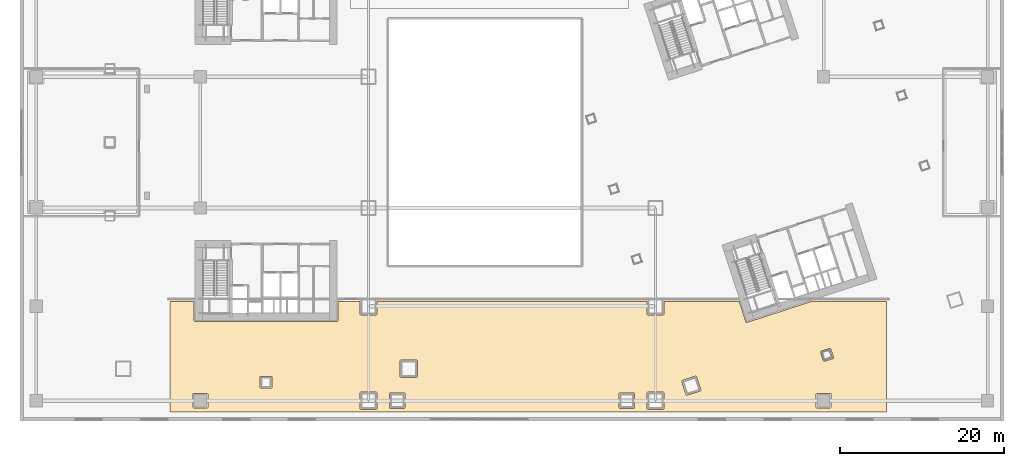
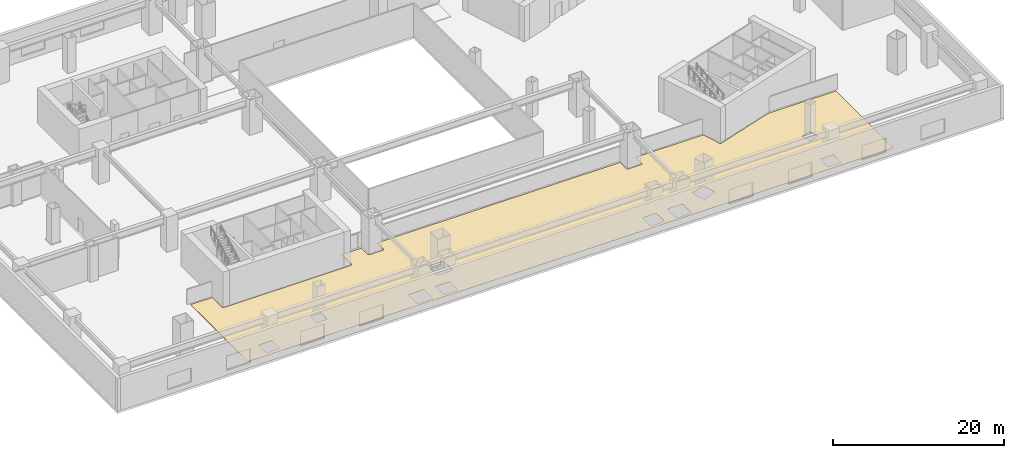
# One storey, part 31 of 35: 1 covering.
"""IFC4 building model written with IfcOpenShell, lengths in metres."""

from ifc_helpers import new_model, si_unit, direction, frame, origin, place, context, subcontext, project, spatial, polyline, outline, extrude, material, layer, layer_set, type_object, element, save


model = new_model("IFC4")

# Units and contexts
model_context = context("Model", 3, precision=1e-05, world=origin(), true_north=direction((0.0, 1.0)))
body_context = subcontext(model_context, "Body", "Model", "MODEL_VIEW")
ifc_project = project(units=[si_unit("LENGTHUNIT", "METRE"), si_unit("AREAUNIT", "SQUARE_METRE"), si_unit("VOLUMEUNIT", "CUBIC_METRE"), si_unit("PLANEANGLEUNIT", "RADIAN"), si_unit("MASSUNIT", "GRAM", prefix="KILO")], contexts=[model_context])

# Site, building, storey
site_placement = place(None, origin())
site = spatial("IfcSite", under=ifc_project, at=site_placement, CompositionType="ELEMENT")
building_placement = place(site_placement, origin())
building = spatial("IfcBuilding", under=site, at=building_placement, Name="Qiaolan Cultural Towers", CompositionType="ELEMENT")
storey_placement = place(building_placement, frame((0.0, 0.0, 11.5)))
storey = spatial("IfcBuildingStorey", under=building, at=storey_placement, Name="L02", CompositionType="ELEMENT", Elevation=11.5)

# Covering
ifc_material = material(Name="Honed Terrazzo & Raised Access Flooring", Category="concrete")
ifc_layer = layer(ifc_material, 0.0400390625)
ifc_layer_set = layer_set([ifc_layer], Name="Honed Terrazzo & Raised Access Flooring")
covering_type = type_object("IfcCoveringType", Name="COV-FLR-STONE", PredefinedType="FLOORING", material=ifc_layer_set)
covering_placement = place(storey_placement, origin())
element("IfcCovering", 1, at=covering_placement, inside=storey, type_object=covering_type, Name="L02 L02 South Civic Exhibition Gallery Finish Flooring", PredefinedType="FLOORING", context=body_context, shape_type="SweptSolid", body=[
    extrude(outline(polyline([(78.550048828125, 13.070068359375), (78.54931640625, 13.058349609375), (78.547607421875, 13.046630859375), (78.544921875, 13.03515625), (78.540771484375, 13.024169921875), (78.535888671875, 13.013427734375), (78.52978515625, 13.00341796875), (78.522705078125, 12.993896484375), (78.514892578125, 12.985107421875), (78.506103515625, 12.977294921875), (78.49658203125, 12.97021484375), (78.486572265625, 12.964111328125), (78.475830078125, 12.959228515625), (78.46484375, 12.955078125), (78.453369140625, 12.952392578125), (78.441650390625, 12.95068359375), (78.429931640625, 12.949951171875), (76.570068359375, 12.949951171875), (76.558349609375, 12.95068359375), (76.546630859375, 12.952392578125), (76.53515625, 12.955078125), (76.524169921875, 12.959228515625), (76.513427734375, 12.964111328125), (76.50341796875, 12.97021484375), (76.493896484375, 12.977294921875), (76.485107421875, 12.985107421875), (76.477294921875, 12.993896484375), (76.47021484375, 13.00341796875), (76.464111328125, 13.013427734375), (76.459228515625, 13.024169921875), (76.455078125, 13.03515625), (76.452392578125, 13.046630859375), (76.45068359375, 13.058349609375), (76.449951171875, 13.070068359375), (76.449951171875, 14.580078125), (43.550048828125, 14.580078125), (43.550048828125, 13.070068359375), (43.54931640625, 13.058349609375), (43.547607421875, 13.046630859375), (43.544921875, 13.03515625), (43.540771484375, 13.024169921875), (43.535888671875, 13.013427734375), (43.52978515625, 13.00341796875), (43.522705078125, 12.993896484375), (43.514892578125, 12.985107421875), (43.506103515625, 12.977294921875), (43.49658203125, 12.97021484375), (43.486572265625, 12.964111328125), (43.475830078125, 12.959228515625), (43.46484375, 12.955078125), (43.453369140625, 12.952392578125), (43.441650390625, 12.95068359375), (43.429931640625, 12.949951171875), (41.570068359375, 12.949951171875), (41.558349609375, 12.95068359375), (41.546630859375, 12.952392578125), (41.53515625, 12.955078125), (41.524169921875, 12.959228515625), (41.513427734375, 12.964111328125), (41.50341796875, 12.97021484375), (41.493896484375, 12.977294921875), (41.485107421875, 12.985107421875), (41.477294921875, 12.993896484375), (41.47021484375, 13.00341796875), (41.464111328125, 13.013427734375), (41.459228515625, 13.024169921875), (41.455078125, 13.03515625), (41.452392578125, 13.046630859375), (41.45068359375, 13.058349609375), (41.449951171875, 13.070068359375), (41.449951171875, 14.580078125), (38.77001953125, 14.580078125), (38.77001953125, 12.25), (38.76953125, 12.23828125), (38.767578125, 12.2265625), (38.764892578125, 12.215087890625), (38.760986328125, 12.2041015625), (38.755859375, 12.193359375), (38.749755859375, 12.183349609375), (38.74267578125, 12.173828125), (38.73486328125, 12.1650390625), (38.72607421875, 12.1572265625), (38.716552734375, 12.150146484375), (38.70654296875, 12.144287109375), (38.69580078125, 12.13916015625), (38.684814453125, 12.13525390625), (38.67333984375, 12.13232421875), (38.661865234375, 12.130615234375), (38.64990234375, 12.1298828125), (21.35009765625, 12.1298828125), (21.338134765625, 12.130615234375), (21.32666015625, 12.13232421875), (21.315185546875, 12.13525390625), (21.30419921875, 12.13916015625), (21.29345703125, 12.144287109375), (21.283447265625, 12.150146484375), (21.27392578125, 12.1572265625), (21.26513671875, 12.1650390625), (21.25732421875, 12.173828125), (21.250244140625, 12.183349609375), (21.244140625, 12.193359375), (21.239013671875, 12.2041015625), (21.235107421875, 12.215087890625), (21.232421875, 12.2265625), (21.23046875, 12.23828125), (21.22998046875, 12.25), (21.22998046875, 14.580078125), (18.320068359375, 14.580078125), (18.320068359375, 1.1201171875), (105.679931640625, 1.1201171875), (105.679931640625, 14.580078125), (96.4736328125, 14.580078125), (88.669677734375, 12.044189453125), (88.658203125, 12.041259765625), (88.646484375, 12.039306640625), (88.634765625, 12.038330078125), (88.623046875, 12.038818359375), (88.611328125, 12.040283203125), (88.599853515625, 12.04296875), (88.5888671875, 12.046630859375), (88.578125, 12.051513671875), (88.56787109375, 12.057373046875), (88.55810546875, 12.064208984375), (88.54931640625, 12.072021484375), (88.541259765625, 12.08056640625), (88.533935546875, 12.08984375), (88.52783203125, 12.099853515625), (88.5224609375, 12.1103515625), (88.518310546875, 12.121337890625), (87.719482421875, 14.580078125), (78.550048828125, 14.580078125), (78.550048828125, 13.070068359375)]), holes=[polyline([(99.205810546875, 7.76904296875), (99.207763671875, 7.757568359375), (99.20849609375, 7.745849609375), (99.208251953125, 7.734130859375), (99.206787109375, 7.722412109375), (99.2041015625, 7.7109375), (99.2001953125, 7.69970703125), (99.195556640625, 7.68896484375), (99.189697265625, 7.6787109375), (99.182861328125, 7.669189453125), (99.175048828125, 7.66015625), (99.16650390625, 7.652099609375), (99.1572265625, 7.64501953125), (99.147216796875, 7.638671875), (99.13671875, 7.633544921875), (99.125732421875, 7.62939453125), (98.117431640625, 7.3017578125), (98.106201171875, 7.298583984375), (98.094482421875, 7.296630859375), (98.082763671875, 7.2958984375), (98.071044921875, 7.296142578125), (98.059326171875, 7.2978515625), (98.0478515625, 7.30029296875), (98.03662109375, 7.30419921875), (98.02587890625, 7.308837890625), (98.015625, 7.314697265625), (98.006103515625, 7.321533203125), (97.997314453125, 7.329345703125), (97.9892578125, 7.337890625), (97.98193359375, 7.34716796875), (97.975830078125, 7.357177734375), (97.970458984375, 7.36767578125), (97.96630859375, 7.37890625), (97.638671875, 8.386962890625), (97.6357421875, 8.398193359375), (97.6337890625, 8.409912109375), (97.6328125, 8.421630859375), (97.63330078125, 8.433349609375), (97.634765625, 8.445068359375), (97.637451171875, 8.45654296875), (97.64111328125, 8.4677734375), (97.64599609375, 8.478515625), (97.65185546875, 8.48876953125), (97.65869140625, 8.498291015625), (97.666259765625, 8.507080078125), (97.675048828125, 8.51513671875), (97.684326171875, 8.5224609375), (97.6943359375, 8.52880859375), (97.704833984375, 8.533935546875), (97.7158203125, 8.5380859375), (98.723876953125, 8.86572265625), (98.7353515625, 8.86865234375), (98.746826171875, 8.87060546875), (98.758544921875, 8.87158203125), (98.7705078125, 8.87109375), (98.781982421875, 8.86962890625), (98.79345703125, 8.866943359375), (98.8046875, 8.86328125), (98.8154296875, 8.8583984375), (98.82568359375, 8.8525390625), (98.835205078125, 8.845703125), (98.84423828125, 8.838134765625), (98.852294921875, 8.82958984375), (98.859375, 8.820068359375), (98.86572265625, 8.810302734375), (98.870849609375, 8.799560546875), (98.875, 8.78857421875), (99.20263671875, 7.780517578125), (99.205810546875, 7.76904296875)]), polyline([(97.1005859375, 3.291748046875), (97.102294921875, 3.303466796875), (97.105224609375, 3.31494140625), (97.109130859375, 3.325927734375), (97.1142578125, 3.336669921875), (97.1201171875, 3.3466796875), (97.127197265625, 3.356201171875), (97.13525390625, 3.36474609375), (97.143798828125, 3.372802734375), (97.1533203125, 3.3798828125), (97.163330078125, 3.3857421875), (97.174072265625, 3.390869140625), (97.18505859375, 3.394775390625), (97.196533203125, 3.397705078125), (97.208251953125, 3.3994140625), (97.219970703125, 3.39990234375), (98.780029296875, 3.39990234375), (98.791748046875, 3.3994140625), (98.803466796875, 3.397705078125), (98.81494140625, 3.394775390625), (98.825927734375, 3.390869140625), (98.836669921875, 3.3857421875), (98.8466796875, 3.3798828125), (98.856201171875, 3.372802734375), (98.86474609375, 3.36474609375), (98.872802734375, 3.356201171875), (98.8798828125, 3.3466796875), (98.8857421875, 3.336669921875), (98.890869140625, 3.325927734375), (98.894775390625, 3.31494140625), (98.897705078125, 3.303466796875), (98.8994140625, 3.291748046875), (98.89990234375, 3.280029296875), (98.89990234375, 1.719970703125), (98.8994140625, 1.708251953125), (98.897705078125, 1.696533203125), (98.894775390625, 1.68505859375), (98.890869140625, 1.674072265625), (98.8857421875, 1.663330078125), (98.8798828125, 1.6533203125), (98.872802734375, 1.643798828125), (98.86474609375, 1.63525390625), (98.856201171875, 1.627197265625), (98.8466796875, 1.6201171875), (98.836669921875, 1.6142578125), (98.825927734375, 1.609130859375), (98.81494140625, 1.605224609375), (98.803466796875, 1.602294921875), (98.791748046875, 1.6005859375), (98.780029296875, 1.60009765625), (97.219970703125, 1.60009765625), (97.208251953125, 1.6005859375), (97.196533203125, 1.602294921875), (97.18505859375, 1.605224609375), (97.174072265625, 1.609130859375), (97.163330078125, 1.6142578125), (97.1533203125, 1.6201171875), (97.143798828125, 1.627197265625), (97.13525390625, 1.63525390625), (97.127197265625, 1.643798828125), (97.1201171875, 1.6533203125), (97.1142578125, 1.663330078125), (97.109130859375, 1.674072265625), (97.105224609375, 1.68505859375), (97.102294921875, 1.696533203125), (97.1005859375, 1.708251953125), (97.10009765625, 1.719970703125), (97.10009765625, 3.280029296875), (97.1005859375, 3.291748046875)]), polyline([(82.36962890625, 5.48583984375), (82.38134765625, 5.48779296875), (82.39306640625, 5.48876953125), (82.40478515625, 5.48828125), (82.41650390625, 5.48681640625), (82.427978515625, 5.484130859375), (82.439208984375, 5.48046875), (82.449951171875, 5.4755859375), (82.4599609375, 5.4697265625), (82.4697265625, 5.462890625), (82.478515625, 5.455322265625), (82.486572265625, 5.446533203125), (82.493896484375, 5.437255859375), (82.5, 5.42724609375), (82.50537109375, 5.416748046875), (82.509521484375, 5.40576171875), (83.0224609375, 3.8271484375), (83.025634765625, 3.815673828125), (83.027587890625, 3.803955078125), (83.0283203125, 3.792236328125), (83.02783203125, 3.780517578125), (83.0263671875, 3.768798828125), (83.02392578125, 3.75732421875), (83.02001953125, 3.746337890625), (83.01513671875, 3.735595703125), (83.00927734375, 3.725341796875), (83.00244140625, 3.715576171875), (82.994873046875, 3.706787109375), (82.986328125, 3.69873046875), (82.97705078125, 3.69140625), (82.967041015625, 3.685302734375), (82.956298828125, 3.679931640625), (82.9453125, 3.67578125), (81.36669921875, 3.162841796875), (81.355224609375, 3.15966796875), (81.34375, 3.15771484375), (81.33203125, 3.156982421875), (81.320068359375, 3.157470703125), (81.30859375, 3.158935546875), (81.296875, 3.16162109375), (81.285888671875, 3.165283203125), (81.275146484375, 3.170166015625), (81.264892578125, 3.176025390625), (81.25537109375, 3.182861328125), (81.246337890625, 3.1904296875), (81.23828125, 3.198974609375), (81.231201171875, 3.20849609375), (81.224853515625, 3.21826171875), (81.2197265625, 3.22900390625), (81.21533203125, 3.239990234375), (80.702392578125, 4.818603515625), (80.699462890625, 4.830078125), (80.697509765625, 4.841552734375), (80.696533203125, 4.853515625), (80.697021484375, 4.865234375), (80.698486328125, 4.876953125), (80.701171875, 4.888427734375), (80.704833984375, 4.8994140625), (80.709716796875, 4.91015625), (80.715576171875, 4.92041015625), (80.722412109375, 4.929931640625), (80.72998046875, 4.93896484375), (80.73876953125, 4.947021484375), (80.748046875, 4.9541015625), (80.758056640625, 4.96044921875), (80.7685546875, 4.965576171875), (80.779541015625, 4.969970703125), (82.358154296875, 5.48291015625), (82.36962890625, 5.48583984375)]), polyline([(78.54931640625, 1.558349609375), (78.547607421875, 1.546630859375), (78.544921875, 1.53515625), (78.540771484375, 1.524169921875), (78.535888671875, 1.513427734375), (78.52978515625, 1.50341796875), (78.522705078125, 1.493896484375), (78.514892578125, 1.485107421875), (78.506103515625, 1.477294921875), (78.49658203125, 1.47021484375), (78.486572265625, 1.464111328125), (78.475830078125, 1.459228515625), (78.46484375, 1.455078125), (78.453369140625, 1.452392578125), (78.441650390625, 1.45068359375), (78.429931640625, 1.449951171875), (76.570068359375, 1.449951171875), (76.558349609375, 1.45068359375), (76.546630859375, 1.452392578125), (76.53515625, 1.455078125), (76.524169921875, 1.459228515625), (76.513427734375, 1.464111328125), (76.50341796875, 1.47021484375), (76.493896484375, 1.477294921875), (76.485107421875, 1.485107421875), (76.477294921875, 1.493896484375), (76.47021484375, 1.50341796875), (76.464111328125, 1.513427734375), (76.459228515625, 1.524169921875), (76.455078125, 1.53515625), (76.452392578125, 1.546630859375), (76.45068359375, 1.558349609375), (76.449951171875, 1.570068359375), (76.449951171875, 3.429931640625), (76.45068359375, 3.441650390625), (76.452392578125, 3.453369140625), (76.455078125, 3.46484375), (76.459228515625, 3.475830078125), (76.464111328125, 3.486572265625), (76.47021484375, 3.49658203125), (76.477294921875, 3.506103515625), (76.485107421875, 3.514892578125), (76.493896484375, 3.522705078125), (76.50341796875, 3.52978515625), (76.513427734375, 3.535888671875), (76.524169921875, 3.540771484375), (76.53515625, 3.544921875), (76.546630859375, 3.547607421875), (76.558349609375, 3.54931640625), (76.570068359375, 3.550048828125), (78.429931640625, 3.550048828125), (78.441650390625, 3.54931640625), (78.453369140625, 3.547607421875), (78.46484375, 3.544921875), (78.475830078125, 3.540771484375), (78.486572265625, 3.535888671875), (78.49658203125, 3.52978515625), (78.506103515625, 3.522705078125), (78.514892578125, 3.514892578125), (78.522705078125, 3.506103515625), (78.52978515625, 3.49658203125), (78.535888671875, 3.486572265625), (78.540771484375, 3.475830078125), (78.544921875, 3.46484375), (78.547607421875, 3.453369140625), (78.54931640625, 3.441650390625), (78.550048828125, 3.429931640625), (78.550048828125, 1.570068359375), (78.54931640625, 1.558349609375)]), polyline([(74.949462890625, 1.658203125), (74.94775390625, 1.646484375), (74.94482421875, 1.63525390625), (74.94091796875, 1.6240234375), (74.935791015625, 1.613525390625), (74.9296875, 1.603271484375), (74.9228515625, 1.593994140625), (74.914794921875, 1.585205078125), (74.906005859375, 1.5771484375), (74.896728515625, 1.5703125), (74.886474609375, 1.564208984375), (74.8759765625, 1.55908203125), (74.86474609375, 1.55517578125), (74.853515625, 1.55224609375), (74.841796875, 1.550537109375), (74.830078125, 1.550048828125), (73.169921875, 1.550048828125), (73.158203125, 1.550537109375), (73.146484375, 1.55224609375), (73.13525390625, 1.55517578125), (73.1240234375, 1.55908203125), (73.113525390625, 1.564208984375), (73.103271484375, 1.5703125), (73.093994140625, 1.5771484375), (73.085205078125, 1.585205078125), (73.0771484375, 1.593994140625), (73.0703125, 1.603271484375), (73.064208984375, 1.613525390625), (73.05908203125, 1.6240234375), (73.05517578125, 1.63525390625), (73.05224609375, 1.646484375), (73.050537109375, 1.658203125), (73.050048828125, 1.669921875), (73.050048828125, 3.330078125), (73.050537109375, 3.341796875), (73.05224609375, 3.353515625), (73.05517578125, 3.36474609375), (73.05908203125, 3.3759765625), (73.064208984375, 3.386474609375), (73.0703125, 3.396728515625), (73.0771484375, 3.406005859375), (73.085205078125, 3.414794921875), (73.093994140625, 3.4228515625), (73.103271484375, 3.4296875), (73.113525390625, 3.435791015625), (73.1240234375, 3.44091796875), (73.13525390625, 3.44482421875), (73.146484375, 3.44775390625), (73.158203125, 3.449462890625), (73.169921875, 3.449951171875), (74.830078125, 3.449951171875), (74.841796875, 3.449462890625), (74.853515625, 3.44775390625), (74.86474609375, 3.44482421875), (74.8759765625, 3.44091796875), (74.886474609375, 3.435791015625), (74.896728515625, 3.4296875), (74.906005859375, 3.4228515625), (74.914794921875, 3.414794921875), (74.9228515625, 3.406005859375), (74.9296875, 3.396728515625), (74.935791015625, 3.386474609375), (74.94091796875, 3.3759765625), (74.94482421875, 3.36474609375), (74.94775390625, 3.353515625), (74.949462890625, 3.341796875), (74.949951171875, 3.330078125), (74.949951171875, 1.669921875), (74.949462890625, 1.658203125)]), polyline([(46.458251953125, 5.3505859375), (46.446533203125, 5.352294921875), (46.43505859375, 5.355224609375), (46.424072265625, 5.359130859375), (46.413330078125, 5.3642578125), (46.4033203125, 5.3701171875), (46.393798828125, 5.377197265625), (46.38525390625, 5.38525390625), (46.377197265625, 5.393798828125), (46.3701171875, 5.4033203125), (46.3642578125, 5.413330078125), (46.359130859375, 5.424072265625), (46.355224609375, 5.43505859375), (46.352294921875, 5.446533203125), (46.3505859375, 5.458251953125), (46.35009765625, 5.469970703125), (46.35009765625, 7.330078125), (46.3505859375, 7.341796875), (46.352294921875, 7.353515625), (46.355224609375, 7.36474609375), (46.359130859375, 7.3759765625), (46.3642578125, 7.386474609375), (46.3701171875, 7.396728515625), (46.377197265625, 7.406005859375), (46.38525390625, 7.414794921875), (46.393798828125, 7.4228515625), (46.4033203125, 7.4296875), (46.413330078125, 7.435791015625), (46.424072265625, 7.44091796875), (46.43505859375, 7.44482421875), (46.446533203125, 7.44775390625), (46.458251953125, 7.449462890625), (46.469970703125, 7.449951171875), (48.330078125, 7.449951171875), (48.341796875, 7.449462890625), (48.353515625, 7.44775390625), (48.36474609375, 7.44482421875), (48.3759765625, 7.44091796875), (48.386474609375, 7.435791015625), (48.396728515625, 7.4296875), (48.406005859375, 7.4228515625), (48.414794921875, 7.414794921875), (48.4228515625, 7.406005859375), (48.4296875, 7.396728515625), (48.435791015625, 7.386474609375), (48.44091796875, 7.3759765625), (48.44482421875, 7.36474609375), (48.44775390625, 7.353515625), (48.449462890625, 7.341796875), (48.449951171875, 7.330078125), (48.449951171875, 5.469970703125), (48.449462890625, 5.458251953125), (48.44775390625, 5.446533203125), (48.44482421875, 5.43505859375), (48.44091796875, 5.424072265625), (48.435791015625, 5.413330078125), (48.4296875, 5.4033203125), (48.4228515625, 5.393798828125), (48.414794921875, 5.38525390625), (48.406005859375, 5.377197265625), (48.396728515625, 5.3701171875), (48.386474609375, 5.3642578125), (48.3759765625, 5.359130859375), (48.36474609375, 5.355224609375), (48.353515625, 5.352294921875), (48.341796875, 5.3505859375), (48.330078125, 5.35009765625), (46.469970703125, 5.35009765625), (46.458251953125, 5.3505859375)]), polyline([(46.841796875, 3.449462890625), (46.853515625, 3.44775390625), (46.86474609375, 3.44482421875), (46.8759765625, 3.44091796875), (46.886474609375, 3.435791015625), (46.896728515625, 3.4296875), (46.906005859375, 3.4228515625), (46.914794921875, 3.414794921875), (46.9228515625, 3.406005859375), (46.9296875, 3.396728515625), (46.935791015625, 3.386474609375), (46.94091796875, 3.3759765625), (46.94482421875, 3.36474609375), (46.94775390625, 3.353515625), (46.949462890625, 3.341796875), (46.949951171875, 3.330078125), (46.949951171875, 1.669921875), (46.949462890625, 1.658203125), (46.94775390625, 1.646484375), (46.94482421875, 1.63525390625), (46.94091796875, 1.6240234375), (46.935791015625, 1.613525390625), (46.9296875, 1.603271484375), (46.9228515625, 1.593994140625), (46.914794921875, 1.585205078125), (46.906005859375, 1.5771484375), (46.896728515625, 1.5703125), (46.886474609375, 1.564208984375), (46.8759765625, 1.55908203125), (46.86474609375, 1.55517578125), (46.853515625, 1.55224609375), (46.841796875, 1.550537109375), (46.830078125, 1.550048828125), (45.169921875, 1.550048828125), (45.158203125, 1.550537109375), (45.146484375, 1.55224609375), (45.13525390625, 1.55517578125), (45.1240234375, 1.55908203125), (45.113525390625, 1.564208984375), (45.103271484375, 1.5703125), (45.093994140625, 1.5771484375), (45.085205078125, 1.585205078125), (45.0771484375, 1.593994140625), (45.0703125, 1.603271484375), (45.064208984375, 1.613525390625), (45.05908203125, 1.6240234375), (45.05517578125, 1.63525390625), (45.05224609375, 1.646484375), (45.050537109375, 1.658203125), (45.050048828125, 1.669921875), (45.050048828125, 3.330078125), (45.050537109375, 3.341796875), (45.05224609375, 3.353515625), (45.05517578125, 3.36474609375), (45.05908203125, 3.3759765625), (45.064208984375, 3.386474609375), (45.0703125, 3.396728515625), (45.0771484375, 3.406005859375), (45.085205078125, 3.414794921875), (45.093994140625, 3.4228515625), (45.103271484375, 3.4296875), (45.113525390625, 3.435791015625), (45.1240234375, 3.44091796875), (45.13525390625, 3.44482421875), (45.146484375, 3.44775390625), (45.158203125, 3.449462890625), (45.169921875, 3.449951171875), (46.830078125, 3.449951171875), (46.841796875, 3.449462890625)]), polyline([(41.45068359375, 3.441650390625), (41.452392578125, 3.453369140625), (41.455078125, 3.46484375), (41.459228515625, 3.475830078125), (41.464111328125, 3.486572265625), (41.47021484375, 3.49658203125), (41.477294921875, 3.506103515625), (41.485107421875, 3.514892578125), (41.493896484375, 3.522705078125), (41.50341796875, 3.52978515625), (41.513427734375, 3.535888671875), (41.524169921875, 3.540771484375), (41.53515625, 3.544921875), (41.546630859375, 3.547607421875), (41.558349609375, 3.54931640625), (41.570068359375, 3.550048828125), (43.429931640625, 3.550048828125), (43.441650390625, 3.54931640625), (43.453369140625, 3.547607421875), (43.46484375, 3.544921875), (43.475830078125, 3.540771484375), (43.486572265625, 3.535888671875), (43.49658203125, 3.52978515625), (43.506103515625, 3.522705078125), (43.514892578125, 3.514892578125), (43.522705078125, 3.506103515625), (43.52978515625, 3.49658203125), (43.535888671875, 3.486572265625), (43.540771484375, 3.475830078125), (43.544921875, 3.46484375), (43.547607421875, 3.453369140625), (43.54931640625, 3.441650390625), (43.550048828125, 3.429931640625), (43.550048828125, 1.570068359375), (43.54931640625, 1.558349609375), (43.547607421875, 1.546630859375), (43.544921875, 1.53515625), (43.540771484375, 1.524169921875), (43.535888671875, 1.513427734375), (43.52978515625, 1.50341796875), (43.522705078125, 1.493896484375), (43.514892578125, 1.485107421875), (43.506103515625, 1.477294921875), (43.49658203125, 1.47021484375), (43.486572265625, 1.464111328125), (43.475830078125, 1.459228515625), (43.46484375, 1.455078125), (43.453369140625, 1.452392578125), (43.441650390625, 1.45068359375), (43.429931640625, 1.449951171875), (41.570068359375, 1.449951171875), (41.558349609375, 1.45068359375), (41.546630859375, 1.452392578125), (41.53515625, 1.455078125), (41.524169921875, 1.459228515625), (41.513427734375, 1.464111328125), (41.50341796875, 1.47021484375), (41.493896484375, 1.477294921875), (41.485107421875, 1.485107421875), (41.477294921875, 1.493896484375), (41.47021484375, 1.50341796875), (41.464111328125, 1.513427734375), (41.459228515625, 1.524169921875), (41.455078125, 1.53515625), (41.452392578125, 1.546630859375), (41.45068359375, 1.558349609375), (41.449951171875, 1.570068359375), (41.449951171875, 3.429931640625), (41.45068359375, 3.441650390625)]), polyline([(29.275634765625, 5.36669921875), (29.27734375, 5.37841796875), (29.2802734375, 5.389892578125), (29.2841796875, 5.40087890625), (29.2890625, 5.41162109375), (29.295166015625, 5.421630859375), (29.30224609375, 5.43115234375), (29.31005859375, 5.43994140625), (29.31884765625, 5.44775390625), (29.328369140625, 5.454833984375), (29.33837890625, 5.4609375), (29.34912109375, 5.4658203125), (29.360107421875, 5.4697265625), (29.37158203125, 5.47265625), (29.38330078125, 5.474365234375), (29.39501953125, 5.47509765625), (30.60498046875, 5.47509765625), (30.61669921875, 5.474365234375), (30.62841796875, 5.47265625), (30.639892578125, 5.4697265625), (30.65087890625, 5.4658203125), (30.66162109375, 5.4609375), (30.671630859375, 5.454833984375), (30.68115234375, 5.44775390625), (30.68994140625, 5.43994140625), (30.69775390625, 5.43115234375), (30.704833984375, 5.421630859375), (30.7109375, 5.41162109375), (30.7158203125, 5.40087890625), (30.7197265625, 5.389892578125), (30.72265625, 5.37841796875), (30.724365234375, 5.36669921875), (30.72509765625, 5.35498046875), (30.72509765625, 4.14501953125), (30.724365234375, 4.13330078125), (30.72265625, 4.12158203125), (30.7197265625, 4.110107421875), (30.7158203125, 4.09912109375), (30.7109375, 4.08837890625), (30.704833984375, 4.078369140625), (30.69775390625, 4.06884765625), (30.68994140625, 4.06005859375), (30.68115234375, 4.05224609375), (30.671630859375, 4.045166015625), (30.66162109375, 4.0390625), (30.65087890625, 4.0341796875), (30.639892578125, 4.0302734375), (30.62841796875, 4.02734375), (30.61669921875, 4.025634765625), (30.60498046875, 4.02490234375), (29.39501953125, 4.02490234375), (29.38330078125, 4.025634765625), (29.37158203125, 4.02734375), (29.360107421875, 4.0302734375), (29.34912109375, 4.0341796875), (29.33837890625, 4.0390625), (29.328369140625, 4.045166015625), (29.31884765625, 4.05224609375), (29.31005859375, 4.06005859375), (29.30224609375, 4.06884765625), (29.295166015625, 4.078369140625), (29.2890625, 4.08837890625), (29.2841796875, 4.09912109375), (29.2802734375, 4.110107421875), (29.27734375, 4.12158203125), (29.275634765625, 4.13330078125), (29.27490234375, 4.14501953125), (29.27490234375, 5.35498046875), (29.275634765625, 5.36669921875)]), polyline([(21.208251953125, 1.6005859375), (21.196533203125, 1.602294921875), (21.18505859375, 1.605224609375), (21.174072265625, 1.609130859375), (21.163330078125, 1.6142578125), (21.1533203125, 1.6201171875), (21.143798828125, 1.627197265625), (21.13525390625, 1.63525390625), (21.127197265625, 1.643798828125), (21.1201171875, 1.6533203125), (21.1142578125, 1.663330078125), (21.109130859375, 1.674072265625), (21.105224609375, 1.68505859375), (21.102294921875, 1.696533203125), (21.1005859375, 1.708251953125), (21.10009765625, 1.719970703125), (21.10009765625, 3.280029296875), (21.1005859375, 3.291748046875), (21.102294921875, 3.303466796875), (21.105224609375, 3.31494140625), (21.109130859375, 3.325927734375), (21.1142578125, 3.336669921875), (21.1201171875, 3.3466796875), (21.127197265625, 3.356201171875), (21.13525390625, 3.36474609375), (21.143798828125, 3.372802734375), (21.1533203125, 3.3798828125), (21.163330078125, 3.3857421875), (21.174072265625, 3.390869140625), (21.18505859375, 3.394775390625), (21.196533203125, 3.397705078125), (21.208251953125, 3.3994140625), (21.219970703125, 3.39990234375), (22.780029296875, 3.39990234375), (22.791748046875, 3.3994140625), (22.803466796875, 3.397705078125), (22.81494140625, 3.394775390625), (22.825927734375, 3.390869140625), (22.836669921875, 3.3857421875), (22.8466796875, 3.3798828125), (22.856201171875, 3.372802734375), (22.86474609375, 3.36474609375), (22.872802734375, 3.356201171875), (22.8798828125, 3.3466796875), (22.8857421875, 3.336669921875), (22.890869140625, 3.325927734375), (22.894775390625, 3.31494140625), (22.897705078125, 3.303466796875), (22.8994140625, 3.291748046875), (22.89990234375, 3.280029296875), (22.89990234375, 1.719970703125), (22.8994140625, 1.708251953125), (22.897705078125, 1.696533203125), (22.894775390625, 1.68505859375), (22.890869140625, 1.674072265625), (22.8857421875, 1.663330078125), (22.8798828125, 1.6533203125), (22.872802734375, 1.643798828125), (22.86474609375, 1.63525390625), (22.856201171875, 1.627197265625), (22.8466796875, 1.6201171875), (22.836669921875, 1.6142578125), (22.825927734375, 1.609130859375), (22.81494140625, 1.605224609375), (22.803466796875, 1.602294921875), (22.791748046875, 1.6005859375), (22.780029296875, 1.60009765625), (21.219970703125, 1.60009765625), (21.208251953125, 1.6005859375)])]), origin(), (0.0, 0.0, 1.0), 0.0400390625),
])

save(model, "model.ifc")
